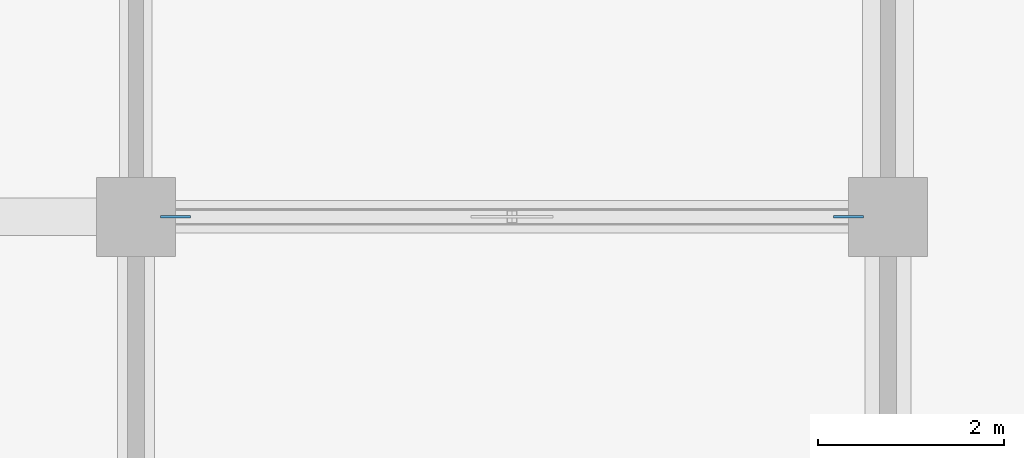
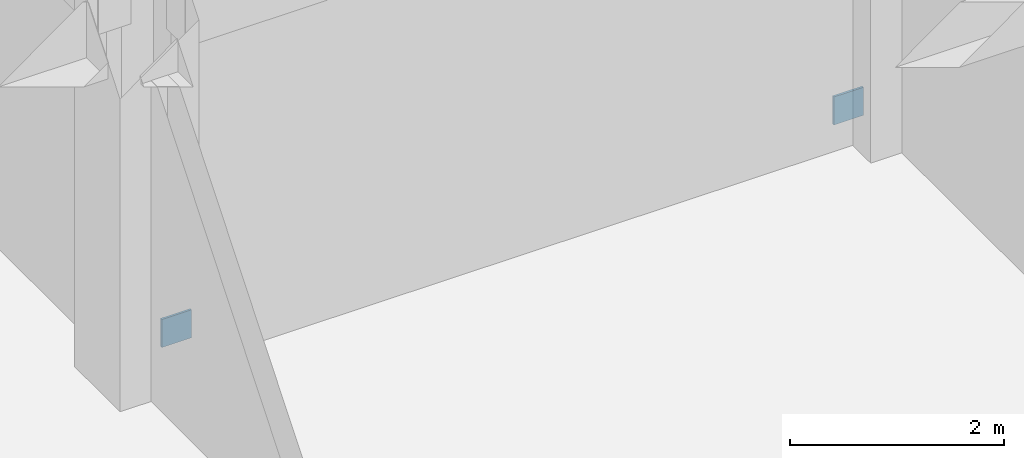
# One storey, part 82 of 93: 2 discrete accessories.
"""IFC4 building model written with IfcOpenShell, lengths in metres."""

import ifcopenshell
import ifcopenshell.guid

model = None  # the IFC model being written
_history = None  # IfcOwnerHistory: only IFC2X3 demands one
_inside = {}  # id of a spatial element -> (the spatial element, [elements in it])
_under = {}  # id of a project, library or spatial element -> (it, [spatial elements below it])
_declared = {}  # id of a project -> (the project, [libraries it declares])
_typed = {}  # id of a type object -> (the type object, [elements of that type])
_made_of = {}  # id of a material, layer set ... -> (it, [elements and type objects made of it])


def new_model(schema):
    """Start an empty IFC model of exactly this schema.

    Asked for "IFC4X3", IfcOpenShell would pick the latest addendum, in which some entities
    have other attributes; the version numbers below select the first issue.
    IFC2X3 requires an IfcOwnerHistory on every rooted entity: one is made here for all.
    """
    global model, _history
    if schema == "IFC4X3":
        model = ifcopenshell.file(schema_version=(4, 3, 0, 0))
    else:
        model = ifcopenshell.file(schema=schema)
    _inside.clear()
    _under.clear()
    _declared.clear()
    _typed.clear()
    _made_of.clear()
    _history = None
    if model.schema == "IFC2X3":
        org = make("IfcOrganization", Name="unknown")
        user = make(
            "IfcPersonAndOrganization",
            ThePerson=make("IfcPerson", FamilyName="unknown"),
            TheOrganization=org,
        )
        app = make(
            "IfcApplication",
            ApplicationDeveloper=org,
            Version="unknown",
            ApplicationFullName="unknown",
            ApplicationIdentifier="unknown",
        )
        _history = make(
            "IfcOwnerHistory",
            OwningUser=user,
            OwningApplication=app,
            ChangeAction="ADDED",
            CreationDate=0,
        )
    return model


def make(cls, **values):
    """One entity of the class cls with the attributes given. An attribute that is None is left unset."""
    return model.create_entity(
        cls, **{name: value for name, value in values.items() if value is not None}
    )


def rooted(cls, **values):
    """An entity with a GlobalId (a new one), such as an element, a storey or a relation."""
    return make(cls, GlobalId=ifcopenshell.guid.new(), OwnerHistory=_history, **values)


def si_unit(unit_type, name, prefix=None):
    """IfcSIUnit, for example si_unit("LENGTHUNIT", "METRE", prefix="MILLI")."""
    return make("IfcSIUnit", UnitType=unit_type, Prefix=prefix, Name=name)


def assignment(units):
    """IfcUnitAssignment: the units of a project."""
    return None if units is None else make("IfcUnitAssignment", Units=units)


def point(xyz):
    """IfcCartesianPoint."""
    return None if xyz is None else make("IfcCartesianPoint", Coordinates=xyz)


def direction(xyz):
    """IfcDirection."""
    return None if xyz is None else make("IfcDirection", DirectionRatios=xyz)


def frame(location, z_axis=None, x_axis=None):
    """IfcAxis2Placement3D, a coordinate frame: its origin and axes. An axis left out is left unset."""
    return make(
        "IfcAxis2Placement3D",
        Location=point(location),
        Axis=direction(z_axis),
        RefDirection=direction(x_axis),
    )


def frame_2d(location, x_axis=None):
    """IfcAxis2Placement2D, a coordinate frame in the plane: its origin and x axis."""
    return make(
        "IfcAxis2Placement2D", Location=point(location), RefDirection=direction(x_axis)
    )


def origin():
    """The frame at (0, 0, 0) with its axes left unset."""
    return frame((0.0, 0.0, 0.0))


def origin_2d():
    """The frame at (0, 0) in the plane with its x axis left unset."""
    return frame_2d((0.0, 0.0))


def place(relative_to, where):
    """IfcLocalPlacement: puts the frame where relative to a parent placement (None: the world)."""
    return make(
        "IfcLocalPlacement", PlacementRelTo=relative_to, RelativePlacement=where
    )


def context(
    kind, dimensions, precision=None, world=None, true_north=None, identifier=None
):
    """IfcGeometricRepresentationContext, for example the 3D "Model" context."""
    return make(
        "IfcGeometricRepresentationContext",
        ContextIdentifier=identifier,
        ContextType=kind,
        CoordinateSpaceDimension=dimensions,
        Precision=precision,
        WorldCoordinateSystem=world,
        TrueNorth=true_north,
    )


def subcontext(parent, identifier, kind, view, scale=None):
    """IfcGeometricRepresentationSubContext, for example "Body" below "Model"."""
    return make(
        "IfcGeometricRepresentationSubContext",
        ContextIdentifier=identifier,
        ContextType=kind,
        ParentContext=parent,
        TargetScale=scale,
        TargetView=view,
    )


def project(units=None, contexts=None):
    """IfcProject with its units and contexts."""
    return rooted(
        "IfcProject",
        Name="project",
        RepresentationContexts=contexts,
        UnitsInContext=assignment(units),
    )


def spatial(cls, under=None, at=None, **own):
    """A site, building, storey or space (cls), placed at a placement, below another one or the project."""
    s = rooted(cls, ObjectPlacement=at, **own)
    if under is not None:
        _under.setdefault(under.id(), (under, []))[1].append(s)
    return s


def profile(cls, at=None, kind="AREA", **sizes):
    """A parametric profile (cls). Its sizes go by their IFC names, for example OverallWidth=200.0."""
    return make(cls, ProfileType=kind, Position=at, **sizes)


def rectangle(**sizes):
    """IfcRectangleProfileDef."""
    return profile("IfcRectangleProfileDef", **sizes)


def extrude(swept, where, along, depth):
    """IfcExtrudedAreaSolid: the profile swept, set in the frame where, extruded along a direction by depth."""
    return make(
        "IfcExtrudedAreaSolid",
        SweptArea=swept,
        Position=where,
        ExtrudedDirection=direction(along),
        Depth=depth,
    )


def shape(context_of_items, identifier, shape_type, items):
    """IfcShapeRepresentation: the items that make up one representation, for example the "Body"."""
    return make(
        "IfcShapeRepresentation",
        ContextOfItems=context_of_items,
        RepresentationIdentifier=identifier,
        RepresentationType=shape_type,
        Items=items,
    )


def material(Name=None, Category=None):
    """IfcMaterial."""
    return make("IfcMaterial", Name=Name, Category=Category)


def made_of(thing, what):
    """Note that an element or type object is made of a material, layer set ...; save() writes the relation."""
    if what is not None:
        _made_of.setdefault(what.id(), (what, []))[1].append(thing)
    return thing


def type_object(cls, material=None, **own):
    """A type object (cls), such as IfcWallType, which elements share."""
    return made_of(rooted(cls, **own), material)


def element(
    cls,
    number,
    at=None,
    inside=None,
    cuts=None,
    type_object=None,
    material=None,
    context=None,
    identifier="Body",
    shape_type=None,
    held_by="IfcProductDefinitionShape",
    body=None,
    shapes=None,
    **own,
):
    """One element of the class cls, such as IfcWall. Its Tag is "e" and its number.

    at: its placement. inside: the storey or other place that contains it. cuts: it is an
    opening in that element (IfcRelVoidsElement). A single representation is given by context,
    identifier, shape_type and body (its items); several are given by shapes. held_by: the class
    of the entity that holds the representations. save() writes the other relations.
    """
    e = rooted(cls, Tag="e%d" % number, ObjectPlacement=at, **own)
    if body is not None:
        shapes = [shape(context, identifier, shape_type, body)]
    if shapes is not None:
        e.Representation = make(held_by, Representations=shapes)
    if inside is not None:
        _inside.setdefault(inside.id(), (inside, []))[1].append(e)
    if cuts is not None:
        rooted(
            "IfcRelVoidsElement", RelatingBuildingElement=cuts, RelatedOpeningElement=e
        )
    if type_object is not None:
        _typed.setdefault(type_object.id(), (type_object, []))[1].append(e)
    return made_of(e, material)


def aggregate(whole, parts):
    """IfcRelAggregates: a whole, such as a stair, and the parts it consists of."""
    return rooted("IfcRelAggregates", RelatingObject=whole, RelatedObjects=parts)


def save(model, path):
    """Write the relations noted so far, then the file.

    IfcRelAggregates (storeys below a building ...), IfcRelContainedInSpatialStructure (elements
    in a storey), IfcRelDefinesByType, IfcRelAssociatesMaterial and IfcRelDeclares: one each for
    every whole, place, type object, material and project.
    """
    for whole, parts in _under.values():
        aggregate(whole, parts)
    for where, things in _inside.values():
        rooted(
            "IfcRelContainedInSpatialStructure",
            RelatedElements=things,
            RelatingStructure=where,
        )
    for kind, things in _typed.values():
        rooted("IfcRelDefinesByType", RelatedObjects=things, RelatingType=kind)
    for what, things in _made_of.values():
        rooted("IfcRelAssociatesMaterial", RelatedObjects=things, RelatingMaterial=what)
    for by, libraries in _declared.values():
        rooted("IfcRelDeclares", RelatingContext=by, RelatedDefinitions=libraries)
    model.write(path)


model = new_model("IFC4")

# Units and contexts
model_context = context("Model", 3, precision=1e-05, world=origin(), true_north=direction((0.0, 1.0)))
body_context = subcontext(model_context, "Body", "Model", "MODEL_VIEW")
ifc_project = project(units=[si_unit("LENGTHUNIT", "METRE"), si_unit("AREAUNIT", "SQUARE_METRE"), si_unit("VOLUMEUNIT", "CUBIC_METRE"), si_unit("PLANEANGLEUNIT", "RADIAN"), si_unit("MASSUNIT", "GRAM", prefix="KILO")], contexts=[model_context])

# Site, building, storey
site_placement = place(None, origin())
site = spatial("IfcSite", under=ifc_project, at=site_placement, CompositionType="ELEMENT")
building_placement = place(site_placement, origin())
building = spatial("IfcBuilding", under=site, at=building_placement, Name="Vaudrelin Polytechnic", CompositionType="ELEMENT")
storey_placement = place(building_placement, frame((0.0, 0.0, 5.10009765625)))
storey = spatial("IfcBuildingStorey", under=building, at=storey_placement, Name="L01", CompositionType="ELEMENT", Elevation=5.10009765625)

# Discrete accessories
ifc_material = material(Name="Steel CSA G40.21 350WT", Category="steel")
discrete_accessory_type = type_object("IfcDiscreteAccessoryType", Name="ACC-CPL-01", PredefinedType="BRACKET", material=ifc_material)
for number, where, z_axis, x_axis, name in (
    (1, (162.425048828125, 40.5, 0.23974609375), (0.0, 0.0, 1.0), (1.0, 0.0, 0.0), "Brace end connection plate CPL-021"),
    (2, (169.675048828125, 40.5, 0.23974609375), (0.0, 0.0, 1.0), (1.0, 0.0, 0.0), "Brace end connection plate CPL-022"),
):
    element("IfcDiscreteAccessory", number, at=place(storey_placement, frame(where, z_axis=z_axis, x_axis=x_axis)), inside=storey, type_object=discrete_accessory_type, Name=name, PredefinedType="BRACKET", context=body_context, shape_type="SweptSolid", body=[
        extrude(rectangle(XDim=0.320068359375, YDim=0.02392578125, at=origin_2d()), origin(), (0.0, 0.0, 1.0), 0.320068359375),
    ])

save(model, "model.ifc")
